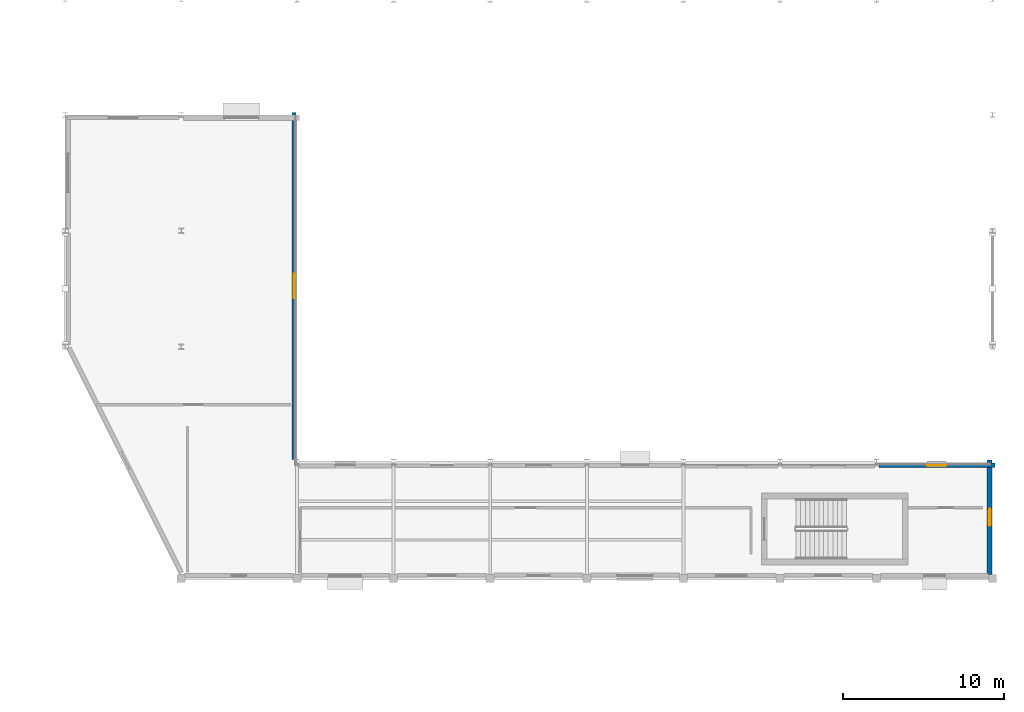
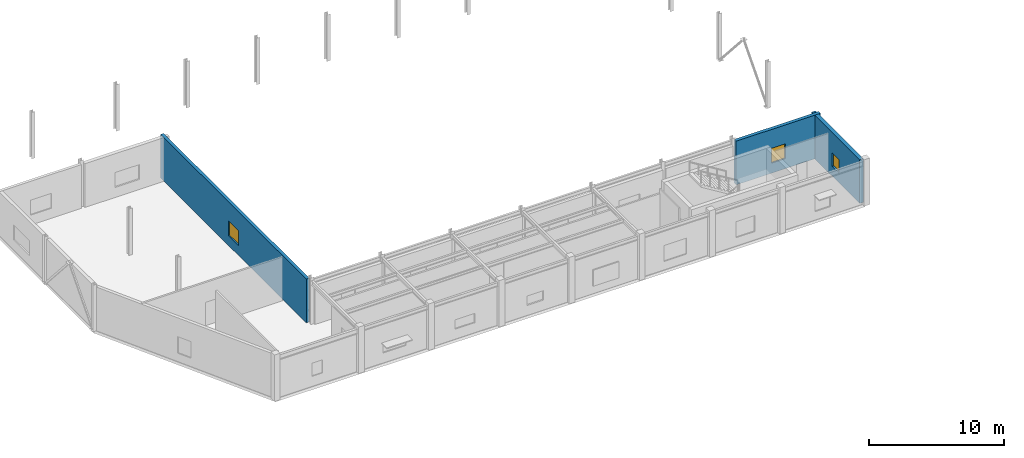
# One storey, part 43 of 60: 3 walls, 3 windows, 3 openings.
"""IFC4 building model written with IfcOpenShell, lengths in metres."""

from ifc_helpers import new_model, si_unit, direction, frame, frame_2d, origin, place, context, subcontext, project, spatial, rectangle, extrude, material, layer, layer_set, type_object, element, fill, save


model = new_model("IFC4")

# Units and contexts
model_context = context("Model", 3, precision=1e-05, world=origin(), true_north=direction((0.0, 1.0)))
body_context = subcontext(model_context, "Body", "Model", "MODEL_VIEW")
ifc_project = project(units=[si_unit("LENGTHUNIT", "METRE"), si_unit("AREAUNIT", "SQUARE_METRE"), si_unit("VOLUMEUNIT", "CUBIC_METRE"), si_unit("PLANEANGLEUNIT", "RADIAN"), si_unit("MASSUNIT", "GRAM", prefix="KILO")], contexts=[model_context])

# Site, building, storey
site_placement = place(None, origin())
site = spatial("IfcSite", under=ifc_project, at=site_placement, CompositionType="ELEMENT")
building_placement = place(site_placement, origin())
building = spatial("IfcBuilding", under=site, at=building_placement, Name="Brisavento Harbour Community Centre", CompositionType="ELEMENT")
storey_placement = place(building_placement, frame((0.0, 0.0, 4.5)))
storey = spatial("IfcBuildingStorey", under=building, at=storey_placement, Name="L01", CompositionType="ELEMENT", Elevation=4.5)

# Wall, opening, window
ifc_material_1 = material(Name="Terracotta masonry unit", Category="masonry")
ifc_layer_1 = layer(ifc_material_1, 0.260009765625, Name="Terracotta masonry unit")
ifc_layer_set_1 = layer_set([ifc_layer_1], Name="Terracotta masonry unit")
wall_type_1 = type_object("IfcWallType", Name="WL-EXT-260", PredefinedType="SOLIDWALL", material=ifc_layer_set_1)
wall_1_placement = place(storey_placement, frame((129.419921875, 108.14990234375, 0.0), z_axis=(0.0, 0.0, 1.0), x_axis=(0.0, -1.0, 0.0)))
wall_1 = element("IfcWall", 1, at=wall_1_placement, inside=storey, type_object=wall_type_1, Name="L01 V4 exterior wall 0202", PredefinedType="SOLIDWALL", context=body_context, shape_type="SweptSolid", body=[
    extrude(rectangle(XDim=21.56982421875, YDim=0.260009765625, at=frame_2d((10.784912109375, 0.0))), origin(), (0.0, 0.0, 1.0), 3.949951171875),
])
opening_1_placement = place(wall_1_placement, frame((10.034912109375, 0.0, 0.89990234375)))
opening_1 = element("IfcOpeningElement", 2, at=opening_1_placement, cuts=wall_1, Name="Opening W-10", PredefinedType="OPENING", context=body_context, shape_type="SweptSolid", body=[
    extrude(rectangle(XDim=1.5, YDim=1.35009765625, at=frame_2d((0.75, 0.675048828125))), frame((0.0, 0.14013671875, 0.0), z_axis=(0.0, -1.0, 0.0), x_axis=(1.0, 0.0, 0.0)), (0.0, 0.0, 1.0), 0.280029296875),
])
ifc_material_2 = material(Name="Solar-control laminated low-E glass", Category="glass")
window_type_1 = type_object("IfcWindowType", Name="WIN-CAS-10", PartitioningType="SINGLE_PANEL", PredefinedType="WINDOW", material=ifc_material_2)
window_1_placement = place(opening_1_placement, origin())
window_1 = element("IfcWindow", 3, at=window_1_placement, inside=storey, type_object=window_type_1, Name="L01 V4 impact casement window 0082", OverallHeight=1.35009765625, OverallWidth=1.5, PartitioningType="SINGLE_PANEL", PredefinedType="WINDOW", context=body_context, shape_type="SweptSolid", body=[
    extrude(rectangle(XDim=1.5, YDim=1.35009765625, at=frame_2d((0.75, 0.675048828125))), frame((0.0, 0.030029296875, 0.0), z_axis=(0.0, -1.0, 0.0), x_axis=(1.0, 0.0, 0.0)), (0.0, 0.0, 1.0), 0.06005859375),
])
fill(opening_1, window_1)

ifc_material_3 = material(Name="Precast concrete C40/50", Category="concrete")
ifc_layer_2 = layer(ifc_material_3, 0.280029296875, Name="Precast concrete C40/50")
ifc_layer_set_2 = layer_set([ifc_layer_2], Name="Precast concrete C40/50")
wall_type_2 = type_object("IfcWallType", Name="WL-EXT-280", PredefinedType="SOLIDWALL", material=ifc_layer_set_2)
wall_2_placement = place(storey_placement, frame((165.735107421875, 86.219970703125, 0.0), z_axis=(0.0, 0.0, 1.0), x_axis=(1.0, 0.0, 0.0)))
wall_2 = element("IfcWall", 4, at=wall_2_placement, inside=storey, type_object=wall_type_2, Name="L01 V4 exterior wall 0201", PredefinedType="SOLIDWALL", context=body_context, shape_type="SweptSolid", body=[
    extrude(rectangle(XDim=7.21484375, YDim=0.280029296875, at=frame_2d((3.607421875, 0.0))), origin(), (0.0, 0.0, 1.0), 3.949951171875),
])
opening_2_placement = place(wall_2_placement, frame((3.007568359375, 0.0, 0.89990234375)))
opening_2 = element("IfcOpeningElement", 5, at=opening_2_placement, cuts=wall_2, Name="Opening W-09", PredefinedType="OPENING", context=body_context, shape_type="SweptSolid", body=[
    extrude(rectangle(XDim=1.199951171875, YDim=1.35009765625, at=frame_2d((0.60009765625, 0.675048828125))), frame((0.0, 0.14990234375, 0.0), z_axis=(0.0, -1.0, 0.0), x_axis=(1.0, 0.0, 0.0)), (0.0, 0.0, 1.0), 0.300048828125),
])
window_type_2 = type_object("IfcWindowType", Name="WIN-CAS-09", PartitioningType="SINGLE_PANEL", PredefinedType="WINDOW", material=ifc_material_2)
window_2_placement = place(opening_2_placement, origin())
window_2 = element("IfcWindow", 6, at=window_2_placement, inside=storey, type_object=window_type_2, Name="L01 V4 impact casement window 0081", OverallHeight=1.35009765625, OverallWidth=1.199951171875, PartitioningType="SINGLE_PANEL", PredefinedType="WINDOW", context=body_context, shape_type="SweptSolid", body=[
    extrude(rectangle(XDim=1.199951171875, YDim=1.35009765625, at=frame_2d((0.60009765625, 0.675048828125))), frame((0.0, 0.030029296875, 0.0), z_axis=(0.0, -1.0, 0.0), x_axis=(1.0, 0.0, 0.0)), (0.0, 0.0, 1.0), 0.06005859375),
])
fill(opening_2, window_2)

ifc_material_4 = material(Name="Concrete C35/45", Category="concrete")
ifc_layer_3 = layer(ifc_material_4, 0.320068359375, Name="Concrete C35/45")
ifc_layer_set_3 = layer_set([ifc_layer_3], Name="Concrete C35/45")
wall_type_3 = type_object("IfcWallType", Name="WL-EXT-320", PredefinedType="SOLIDWALL", material=ifc_layer_set_3)
wall_3_placement = place(storey_placement, frame((172.6201171875, 86.550048828125, 0.0), z_axis=(0.0, 0.0, 1.0), x_axis=(0.0, -1.0, 0.0)))
wall_3 = element("IfcWall", 7, at=wall_3_placement, inside=storey, type_object=wall_type_3, Name="L01 V4 exterior wall 0194", PredefinedType="SOLIDWALL", context=body_context, shape_type="SweptSolid", body=[
    extrude(rectangle(XDim=7.114990234375, YDim=0.320068359375, at=frame_2d((3.5576171875, 0.0))), origin(), (0.0, 0.0, 1.0), 3.949951171875),
])
opening_3_placement = place(wall_3_placement, frame((3.032470703125, 0.0, 0.89990234375)))
opening_3 = element("IfcOpeningElement", 8, at=opening_3_placement, cuts=wall_3, Name="Opening W-02", PredefinedType="OPENING", context=body_context, shape_type="SweptSolid", body=[
    extrude(rectangle(XDim=1.050048828125, YDim=1.199951171875, at=frame_2d((0.52490234375, 0.60009765625))), frame((0.0, 0.169921875, 0.0), z_axis=(0.0, -1.0, 0.0), x_axis=(1.0, 0.0, 0.0)), (0.0, 0.0, 1.0), 0.340087890625),
])
window_type_3 = type_object("IfcWindowType", Name="WIN-CAS-02", PartitioningType="SINGLE_PANEL", PredefinedType="WINDOW", material=ifc_material_2)
window_3_placement = place(opening_3_placement, origin())
window_3 = element("IfcWindow", 9, at=window_3_placement, inside=storey, type_object=window_type_3, Name="L01 V4 impact casement window 0074", OverallHeight=1.199951171875, OverallWidth=1.050048828125, PartitioningType="SINGLE_PANEL", PredefinedType="WINDOW", context=body_context, shape_type="SweptSolid", body=[
    extrude(rectangle(XDim=1.050048828125, YDim=1.199951171875, at=frame_2d((0.52490234375, 0.60009765625))), frame((0.0, 0.030029296875, 0.0), z_axis=(0.0, -1.0, 0.0), x_axis=(1.0, 0.0, 0.0)), (0.0, 0.0, 1.0), 0.06005859375),
])
fill(opening_3, window_3)

save(model, "model.ifc")
